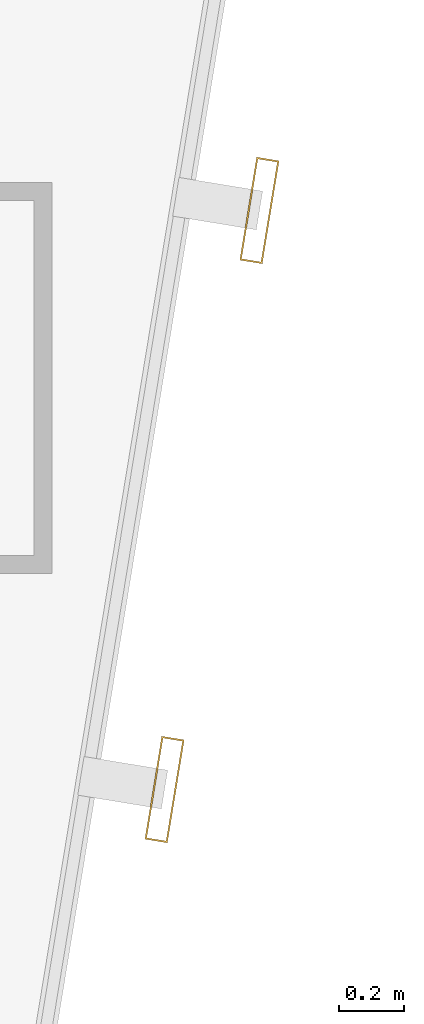
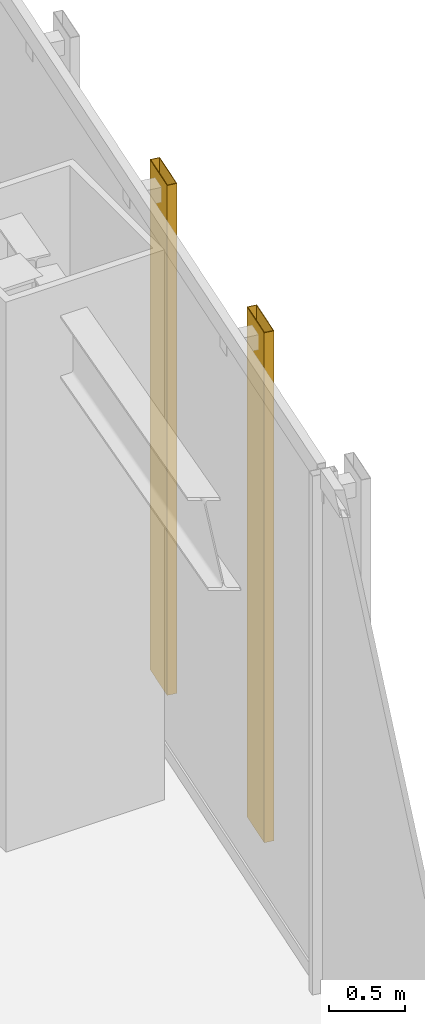
# One storey, part 45 of 47: 2 shading devices.
"""IFC4 building model written with IfcOpenShell, lengths in metres."""

from ifc_helpers import new_model, si_unit, direction, frame, origin, origin_2d, place, context, subcontext, project, spatial, hollow_rectangle, extrude, material, material_profile, profile_set, type_object, element, save


model = new_model("IFC4")

# Units and contexts
model_context = context("Model", 3, precision=1e-05, world=origin(), true_north=direction((0.0, 1.0)))
body_context = subcontext(model_context, "Body", "Model", "MODEL_VIEW")
ifc_project = project(units=[si_unit("LENGTHUNIT", "METRE"), si_unit("AREAUNIT", "SQUARE_METRE"), si_unit("VOLUMEUNIT", "CUBIC_METRE"), si_unit("PLANEANGLEUNIT", "RADIAN"), si_unit("MASSUNIT", "GRAM", prefix="KILO")], contexts=[model_context])

# Site, building, storey
site_placement = place(None, origin())
site = spatial("IfcSite", under=ifc_project, at=site_placement, CompositionType="ELEMENT")
building_placement = place(site_placement, origin())
building = spatial("IfcBuilding", under=site, at=building_placement, Name="Saevonmaru Cultural Tower", CompositionType="ELEMENT")
storey_placement = place(building_placement, frame((0.0, 0.0, 42.800048828125)))
storey = spatial("IfcBuildingStorey", under=building, at=storey_placement, Name="L08", CompositionType="ELEMENT", Elevation=42.800048828125)

# Shading devices
ifc_material = material(Name="Satin Bronze Anodised Aluminium", Category="aluminium")
ifc_material_profile = material_profile(ifc_material, hollow_rectangle(XDim=0.070068359375, YDim=0.320068359375, WallThickness=0.0048828125, at=origin_2d()), Name="FIN-320x70")
ifc_profile_set = profile_set([ifc_material_profile], Name="Satin Bronze Anodised Aluminium")
shading_device_type = type_object("IfcShadingDeviceType", Name="SHD-FIN-320", PredefinedType="JALOUSIE", material=ifc_profile_set)
for number, where, z_axis, x_axis, name in (
    (1, (52.6279296875, 30.737548828125, 0.050048828125), (0.0, 0.0, 1.0), (0.986827496189, -0.161776057456, 0.0), "L08 Art Deco Sawtooth Bronze Fin E8-15"),
    (2, (52.9189453125, 32.513916015625, 0.050048828125), (0.0, 0.0, 1.0), (0.986827496189, -0.161776057456, 0.0), "L08 Art Deco Sawtooth Bronze Fin E8-16"),
):
    element("IfcShadingDevice", number, at=place(storey_placement, frame(where, z_axis=z_axis, x_axis=x_axis)), inside=storey, type_object=shading_device_type, Name=name, PredefinedType="JALOUSIE", context=body_context, shape_type="SweptSolid", body=[
        extrude(hollow_rectangle(XDim=0.070068359375, YDim=0.320068359375, WallThickness=0.0048828125, at=origin_2d()), origin(), (0.0, 0.0, 1.0), 4.079833984375),
    ])

save(model, "model.ifc")
